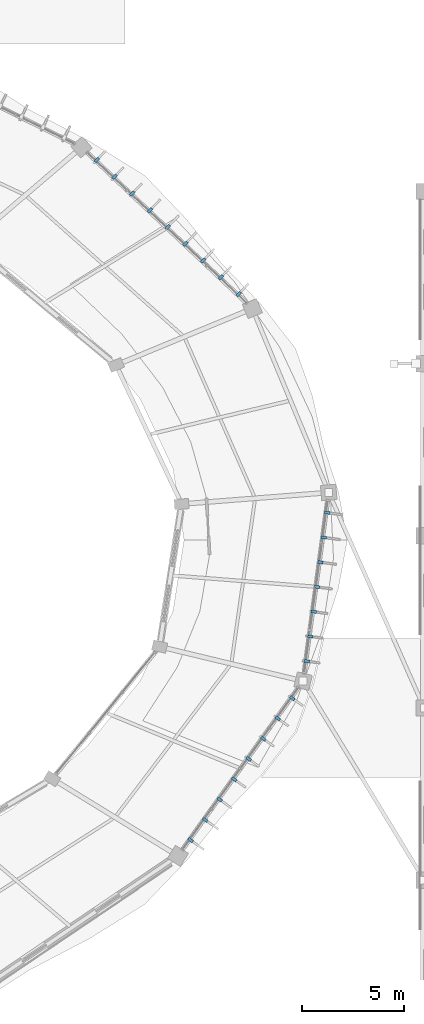
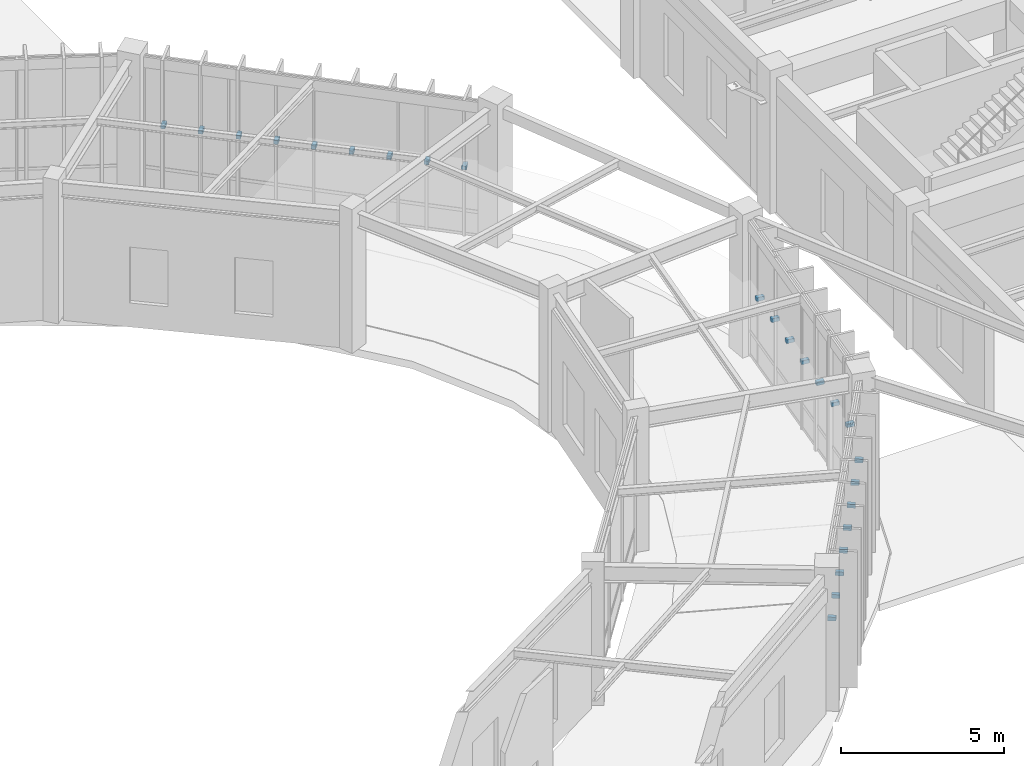
# One storey, part 142 of 157: 24 discrete accessories.
"""IFC4 building model written with IfcOpenShell, lengths in metres."""

from ifc_helpers import new_model, si_unit, direction, frame, origin, origin_2d, place, context, subcontext, project, spatial, rectangle, extrude, material, type_object, element, save


model = new_model("IFC4")

# Units and contexts
model_context = context("Model", 3, precision=1e-05, world=origin(), true_north=direction((0.0, 1.0)))
body_context = subcontext(model_context, "Body", "Model", "MODEL_VIEW")
ifc_project = project(units=[si_unit("LENGTHUNIT", "METRE"), si_unit("AREAUNIT", "SQUARE_METRE"), si_unit("VOLUMEUNIT", "CUBIC_METRE"), si_unit("PLANEANGLEUNIT", "RADIAN"), si_unit("MASSUNIT", "GRAM", prefix="KILO"), si_unit("THERMODYNAMICTEMPERATUREUNIT", "KELVIN"), si_unit("POWERUNIT", "WATT")], contexts=[model_context])

# Site, building, storey
site_placement = place(None, origin())
site = spatial("IfcSite", under=ifc_project, at=site_placement, CompositionType="ELEMENT")
building_placement = place(site_placement, origin())
building = spatial("IfcBuilding", under=site, at=building_placement, Name="Darbajah Civic Hall", CompositionType="ELEMENT")
storey_placement = place(building_placement, origin())
storey = spatial("IfcBuildingStorey", under=building, at=storey_placement, Name="L00", CompositionType="ELEMENT", Elevation=0.0)

# Discrete accessories
ifc_material = material(Name="Stainless Steel S355JR", Category="steel")
discrete_accessory_type = type_object("IfcDiscreteAccessoryType", Name="Stainless Facade Support Bracket", PredefinedType="BRACKET", material=ifc_material)
for number, where, z_axis, x_axis, name in (
    (1, (135.55224609375, 101.800048828125, 2.490234375), (0.0, 0.0, 1.0), (0.686453193248, 0.727173991201, 0.0), "L00 shading fin bracket 01-1"),
    (2, (134.686767578125, 102.616943359375, 2.490234375), (0.0, 0.0, 1.0), (0.686453193248, 0.727173991201, 0.0), "L00 shading fin bracket 01-2"),
    (3, (133.8212890625, 103.433837890625, 2.490234375), (0.0, 0.0, 1.0), (0.686453193248, 0.727173991201, 0.0), "L00 shading fin bracket 01-3"),
    (4, (132.955810546875, 104.250732421875, 2.490234375), (0.0, 0.0, 1.0), (0.686453193248, 0.727173991201, 0.0), "L00 shading fin bracket 01-4"),
    (5, (132.090576171875, 105.067626953125, 2.490234375), (0.0, 0.0, 1.0), (0.686453193248, 0.727173991201, 0.0), "L00 shading fin bracket 01-5"),
    (6, (131.22509765625, 105.884521484375, 2.490234375), (0.0, 0.0, 1.0), (0.686453193248, 0.727173991201, 0.0), "L00 shading fin bracket 01-6"),
    (7, (130.359619140625, 106.701416015625, 2.490234375), (0.0, 0.0, 1.0), (0.686453193248, 0.727173991201, 0.0), "L00 shading fin bracket 01-7"),
    (8, (129.494140625, 107.518310546875, 2.490234375), (0.0, 0.0, 1.0), (0.686453193248, 0.727173991201, 0.0), "L00 shading fin bracket 01-8"),
    (9, (128.62890625, 108.335205078125, 2.490234375), (0.0, 0.0, 1.0), (0.686453193248, 0.727173991201, 0.0), "L00 shading fin bracket 01-9"),
    (10, (133.20703125, 75.152587890625, 2.490234375), (0.0, 0.0, 1.0), (0.812999149039, -0.582264874145, 0.0), "L00 shading fin bracket 18-1"),
    (11, (133.91552734375, 76.141845703125, 2.490234375), (0.0, 0.0, 1.0), (0.812999149039, -0.582264874145, 0.0), "L00 shading fin bracket 18-2"),
    (12, (134.623779296875, 77.131103515625, 2.490234375), (0.0, 0.0, 1.0), (0.812999149039, -0.582264874145, 0.0), "L00 shading fin bracket 18-3"),
    (13, (135.332275390625, 78.120361328125, 2.490234375), (0.0, 0.0, 1.0), (0.812999149039, -0.582264874145, 0.0), "L00 shading fin bracket 18-4"),
    (14, (136.040771484375, 79.109619140625, 2.490234375), (0.0, 0.0, 1.0), (0.812999149039, -0.582264874145, 0.0), "L00 shading fin bracket 18-5"),
    (15, (136.749267578125, 80.098876953125, 2.490234375), (0.0, 0.0, 1.0), (0.812999149039, -0.582264874145, 0.0), "L00 shading fin bracket 18-6"),
    (16, (137.45751953125, 81.088134765625, 2.490234375), (0.0, 0.0, 1.0), (0.812999149039, -0.582264874145, 0.0), "L00 shading fin bracket 18-7"),
    (17, (138.166015625, 82.077392578125, 2.490234375), (0.0, 0.0, 1.0), (0.812999149039, -0.582264874145, 0.0), "L00 shading fin bracket 18-8"),
    (18, (138.88330078125, 83.8828125, 2.490234375), (0.0, 0.0, 1.0), (0.990865897387, -0.134850930274, 0.0), "L00 shading fin bracket 19-1"),
    (19, (139.047607421875, 85.090576171875, 2.490234375), (0.0, 0.0, 1.0), (0.990865897387, -0.134850930274, 0.0), "L00 shading fin bracket 19-2"),
    (20, (139.2119140625, 86.298095703125, 2.490234375), (0.0, 0.0, 1.0), (0.990865897387, -0.134850930274, 0.0), "L00 shading fin bracket 19-3"),
    (21, (139.376220703125, 87.505859375, 2.490234375), (0.0, 0.0, 1.0), (0.990865897387, -0.134850930274, 0.0), "L00 shading fin bracket 19-4"),
    (22, (139.54052734375, 88.713623046875, 2.490234375), (0.0, 0.0, 1.0), (0.990865897387, -0.134850930274, 0.0), "L00 shading fin bracket 19-5"),
    (23, (139.705078125, 89.92138671875, 2.490234375), (0.0, 0.0, 1.0), (0.990865897387, -0.134850930274, 0.0), "L00 shading fin bracket 19-6"),
    (24, (139.869384765625, 91.12890625, 2.490234375), (0.0, 0.0, 1.0), (0.990865897387, -0.134850930274, 0.0), "L00 shading fin bracket 19-7"),
):
    element("IfcDiscreteAccessory", number, at=place(storey_placement, frame(where, z_axis=z_axis, x_axis=x_axis)), inside=storey, type_object=discrete_accessory_type, Name=name, PredefinedType="BRACKET", context=body_context, shape_type="SweptSolid", body=[
        extrude(rectangle(XDim=0.260009765625, YDim=0.139892578125, at=origin_2d()), origin(), (0.0, 0.0, 1.0), 0.139892578125),
    ])

save(model, "model.ifc")
